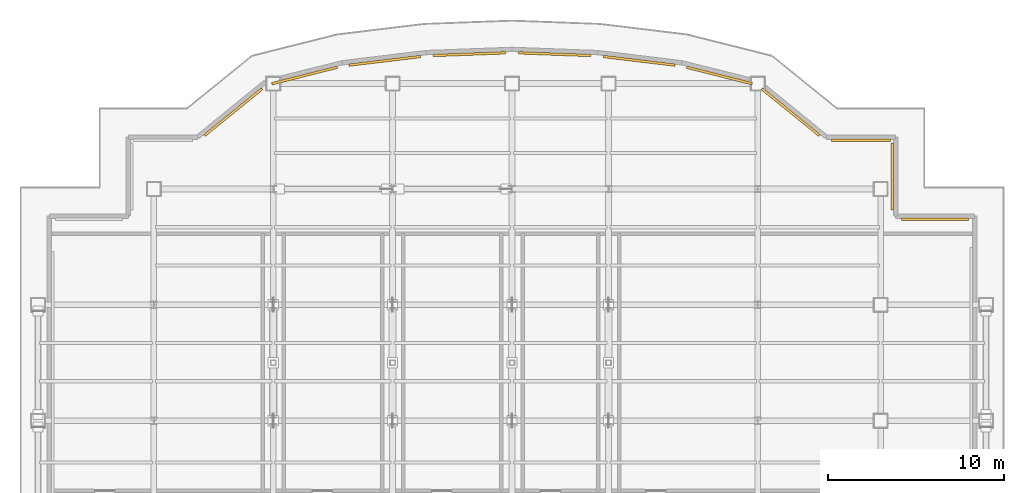
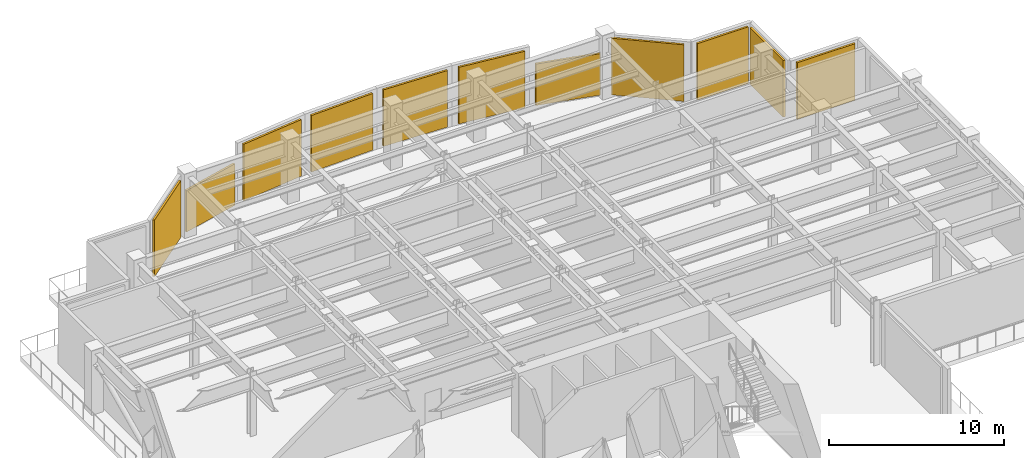
# One storey, part 12 of 12: 11 shading devices.
"""IFC4 building model written with IfcOpenShell, lengths in metres."""

from ifc_helpers import new_model, si_unit, derived_unit, direction, frame, origin, origin_2d, place, context, subcontext, project, spatial, rectangle, extrude, source, transform, mapped, material, type_object, element, save


model = new_model("IFC4")

# Units and contexts
model_context = context("Model", 3, precision=1e-05, world=origin(), true_north=direction((0.0, 1.0)))
body_context = subcontext(model_context, "Body", "Model", "MODEL_VIEW")
ifc_project = project(units=[si_unit("LENGTHUNIT", "METRE"), si_unit("AREAUNIT", "SQUARE_METRE"), si_unit("VOLUMEUNIT", "CUBIC_METRE"), si_unit("PLANEANGLEUNIT", "RADIAN"), si_unit("MASSUNIT", "GRAM", prefix="KILO"), derived_unit("THERMALTRANSMITTANCEUNIT", [(si_unit("POWERUNIT", "WATT"), 1), (si_unit("LENGTHUNIT", "METRE"), -2), (si_unit("THERMODYNAMICTEMPERATUREUNIT", "KELVIN"), -1)])], contexts=[model_context])

# Site, building, storey
site_placement = place(None, origin())
site = spatial("IfcSite", under=ifc_project, at=site_placement, CompositionType="ELEMENT")
building_placement = place(site_placement, origin())
building = spatial("IfcBuilding", under=site, at=building_placement, Name="Skarnbrae Concourse Arena and Tower", CompositionType="ELEMENT")
storey_placement = place(building_placement, frame((0.0, 0.0, 136.10009765625)))
storey = spatial("IfcBuildingStorey", under=building, at=storey_placement, Name="L34", CompositionType="ELEMENT", Elevation=136.10009765625)

# Shading devices
ifc_material = material(Name="Bronze anodised aluminium 6063-T6", Category="aluminium")
shading_device_type = type_object("IfcShadingDeviceType", Name="SHD-BRONZE-LOUVRE-150", PredefinedType="USERDEFINED", material=ifc_material)
shared_shape_1 = source(origin(), body_context, "Body", "SweptSolid", [
    extrude(rectangle(XDim=3.824951171875, YDim=0.139892578125, at=origin_2d()), origin(), (0.0, 0.0, 1.0), 3.949951171875),
])
for number, where, z_axis, x_axis, name in (
    (1, (49.669921875, 35.10009765625, 0.14990234375), (0.0, 0.0, 1.0), (0.0, -1.0, 0.0), "L34 Refuge band bronze weather louvre 16"),
    (2, (52.10009765625, 32.669921875, 0.14990234375), (0.0, 0.0, 1.0), (1.0, 0.0, 0.0), "L34 Refuge band bronze weather louvre 17"),
):
    element("IfcShadingDevice", number, at=place(storey_placement, frame(where, z_axis=z_axis, x_axis=x_axis)), inside=storey, type_object=shading_device_type, Name=name, ObjectType="LOUVRE", PredefinedType="USERDEFINED", context=body_context, shape_type="MappedRepresentation", body=[
        mapped(shared_shape_1, transform((0.0, 0.0, 0.0))),
    ])
shared_shape_2 = source(origin(), body_context, "Body", "SweptSolid", [
    extrude(rectangle(XDim=3.34521484375, YDim=0.139892578125, at=origin_2d()), origin(), (0.0, 0.0, 1.0), 3.949951171875),
])
shading_device_placement = place(storey_placement, frame((47.882080078125, 37.169921875, 0.14990234375), z_axis=(0.0, 0.0, 1.0), x_axis=(1.0, 0.0, 0.0)))
element("IfcShadingDevice", 3, at=shading_device_placement, inside=storey, type_object=shading_device_type, Name="L34 Refuge band bronze weather louvre 15", ObjectType="LOUVRE", PredefinedType="USERDEFINED", context=body_context, shape_type="MappedRepresentation", body=[
    mapped(shared_shape_2, transform((0.0, 0.0, 0.0))),
])
shared_shape_3 = source(origin(), body_context, "Body", "SweptSolid", [
    extrude(rectangle(XDim=4.226318359375, YDim=0.139892578125, at=origin_2d()), origin(), (0.0, 0.0, 1.0), 3.949951171875),
])
for number, where, z_axis, x_axis, name in (
    (4, (12.12890625, 38.777587890625, 0.14990234375), (0.0, 0.0, 1.0), (0.776242300788, 0.630434683744, 0.0), "L34 Refuge band bronze weather louvre 07"),
    (5, (43.87109375, 38.777587890625, 0.14990234375), (0.0, 0.0, 1.0), (0.776242300788, -0.630434683744, 0.0), "L34 Refuge band bronze weather louvre 14"),
):
    element("IfcShadingDevice", number, at=place(storey_placement, frame(where, z_axis=z_axis, x_axis=x_axis)), inside=storey, type_object=shading_device_type, Name=name, ObjectType="LOUVRE", PredefinedType="USERDEFINED", context=body_context, shape_type="MappedRepresentation", body=[
        mapped(shared_shape_3, transform((0.0, 0.0, 0.0))),
    ])
shared_shape_4 = source(origin(), body_context, "Body", "SweptSolid", [
    extrude(rectangle(XDim=3.848876953125, YDim=0.139892578125, at=origin_2d()), origin(), (0.0, 0.0, 1.0), 2.89501953125),
])
for number, where, z_axis, x_axis, name in (
    (6, (16.18505859375, 40.861328125, 0.14990234375), (0.0, 0.0, 1.0), (0.969904321071, 0.243486360947, 0.0), "L34 Refuge band bronze weather louvre 08"),
    (7, (39.81494140625, 40.861328125, 0.14990234375), (0.0, 0.0, 1.0), (0.969904321071, -0.243486360947, 0.0), "L34 Refuge band bronze weather louvre 13"),
):
    element("IfcShadingDevice", number, at=place(storey_placement, frame(where, z_axis=z_axis, x_axis=x_axis)), inside=storey, type_object=shading_device_type, Name=name, ObjectType="LOUVRE", PredefinedType="USERDEFINED", context=body_context, shape_type="MappedRepresentation", body=[
        mapped(shared_shape_4, transform((0.0, 0.0, 0.0))),
    ])
shared_shape_5 = source(origin(), body_context, "Body", "SweptSolid", [
    extrude(rectangle(XDim=4.104736328125, YDim=0.139892578125, at=origin_2d()), origin(), (0.0, 0.0, 1.0), 3.949951171875),
])
for number, where, z_axis, x_axis, name in (
    (8, (20.755615234375, 41.69873046875, 0.14990234375), (0.0, 0.0, 1.0), (0.992748952377, 0.120206146079, 0.0), "L34 Refuge band bronze weather louvre 09"),
    (9, (35.244384765625, 41.69873046875, 0.14990234375), (0.0, 0.0, 1.0), (0.992748952377, -0.120206146079, 0.0), "L34 Refuge band bronze weather louvre 12"),
):
    element("IfcShadingDevice", number, at=place(storey_placement, frame(where, z_axis=z_axis, x_axis=x_axis)), inside=storey, type_object=shading_device_type, Name=name, ObjectType="LOUVRE", PredefinedType="USERDEFINED", context=body_context, shape_type="MappedRepresentation", body=[
        mapped(shared_shape_5, transform((0.0, 0.0, 0.0))),
    ])
shared_shape_6 = source(origin(), body_context, "Body", "SweptSolid", [
    extrude(rectangle(XDim=4.141357421875, YDim=0.139892578125, at=origin_2d()), origin(), (0.0, 0.0, 1.0), 3.949951171875),
])
for number, where, z_axis, x_axis, name in (
    (10, (25.572265625, 42.078369140625, 0.14990234375), (0.0, 0.0, 1.0), (0.999308161734, 0.037191368499, 0.0), "L34 Refuge band bronze weather louvre 10"),
    (11, (30.427734375, 42.078369140625, 0.14990234375), (0.0, 0.0, 1.0), (0.999308161734, -0.037191368499, 0.0), "L34 Refuge band bronze weather louvre 11"),
):
    element("IfcShadingDevice", number, at=place(storey_placement, frame(where, z_axis=z_axis, x_axis=x_axis)), inside=storey, type_object=shading_device_type, Name=name, ObjectType="LOUVRE", PredefinedType="USERDEFINED", context=body_context, shape_type="MappedRepresentation", body=[
        mapped(shared_shape_6, transform((0.0, 0.0, 0.0))),
    ])

save(model, "model.ifc")
